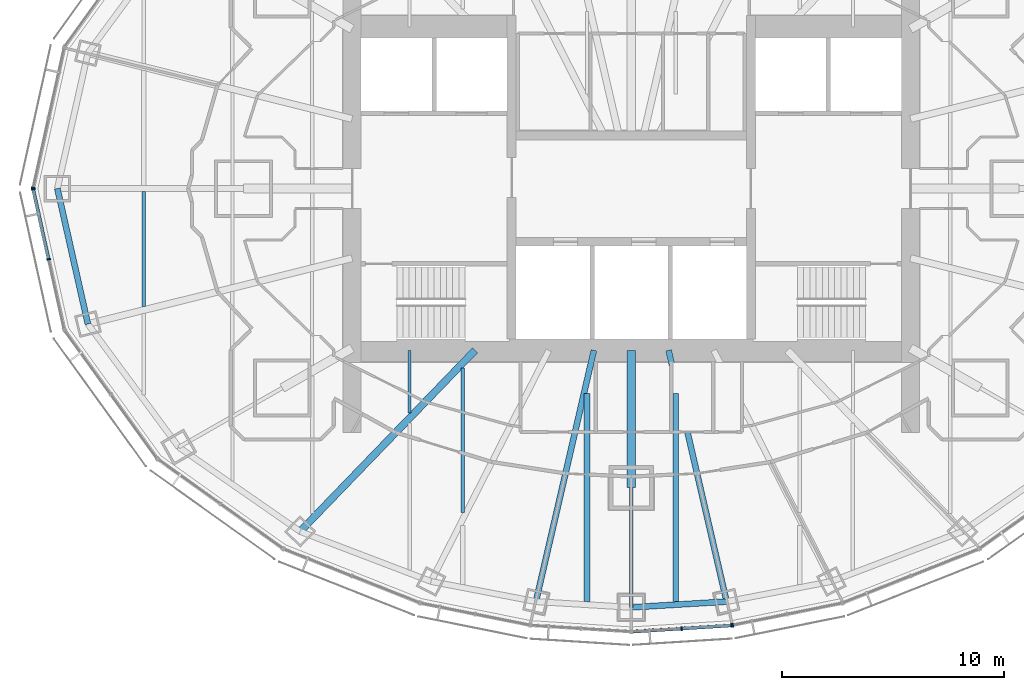
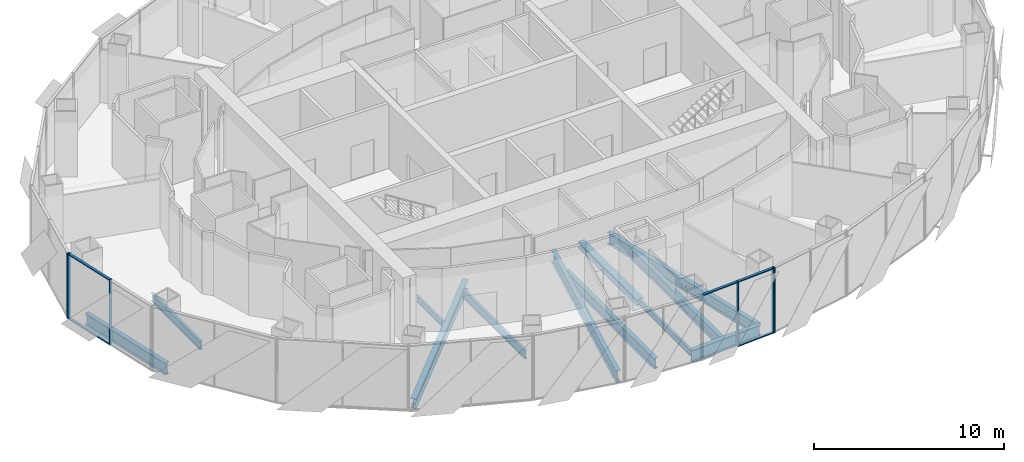
# One storey, part 3 of 19: 12 beams, 11 members, 4 elements without a shape of their own.
"""IFC4 building model written with IfcOpenShell, lengths in metres."""

from ifc_helpers import new_model, si_unit, direction, frame, origin, origin_2d, place, context, subcontext, project, spatial, rectangle, i_section, extrude, material, material_profile, profile_set, type_object, element, aggregate, save


model = new_model("IFC4")

# Units and contexts
model_context = context("Model", 3, precision=1e-05, world=origin(), true_north=direction((0.0, 1.0)))
body_context = subcontext(model_context, "Body", "Model", "MODEL_VIEW")
ifc_project = project(units=[si_unit("LENGTHUNIT", "METRE"), si_unit("AREAUNIT", "SQUARE_METRE"), si_unit("VOLUMEUNIT", "CUBIC_METRE"), si_unit("PLANEANGLEUNIT", "RADIAN"), si_unit("MASSUNIT", "GRAM", prefix="KILO")], contexts=[model_context])

# Site, building, storey
site_placement = place(None, origin())
site = spatial("IfcSite", under=ifc_project, at=site_placement, CompositionType="ELEMENT")
building_placement = place(site_placement, origin())
building = spatial("IfcBuilding", under=site, at=building_placement, Name="Lantaw Convention Tower", CompositionType="ELEMENT")
storey_placement = place(building_placement, frame((0.0, 0.0, 245.199951171875)))
storey = spatial("IfcBuildingStorey", under=building, at=storey_placement, Name="L57", CompositionType="ELEMENT", Elevation=245.199951171875)

# Beams
ifc_material_1 = material(Name="Steel ASTM A992", Category="steel")
ifc_material_profile_1 = material_profile(ifc_material_1, i_section(OverallWidth=0.2666015625, OverallDepth=0.76953125, WebThickness=0.015625, FlangeThickness=0.025390625, FilletRadius=0.0126953125, at=origin_2d()), Name="W30X132")
ifc_profile_set_1 = profile_set([ifc_material_profile_1], Name="Steel ASTM A992")
beam_type_1 = type_object("IfcBeamType", Name="Beam E W30X132", PredefinedType="SPANDREL", material=ifc_profile_set_1)
beam_1_placement = place(storey_placement, frame((-25.89990234375, 0.0, -0.53466796875), z_axis=(0.219857926596, -0.97553190215, 0.0), x_axis=(0.97553190215, 0.219857926596, 0.0)))
element("IfcBeam", 1, at=beam_1_placement, inside=storey, type_object=beam_type_1, Name="Edge beam 13", PredefinedType="SPANDREL", context=body_context, shape_type="SweptSolid", body=[
    extrude(i_section(OverallWidth=0.2666015625, OverallDepth=0.76953125, WebThickness=0.015625, FlangeThickness=0.025390625, FilletRadius=0.0126953125, at=origin_2d()), origin(), (0.0, 0.0, 1.0), 6.267333984375),
])
beam_2_placement = place(storey_placement, frame((0.0, -18.89990234375, -0.53466796875), z_axis=(0.998210730897, 0.059794119452, 0.0), x_axis=(-0.059794119452, 0.998210730897, 0.0)))
element("IfcBeam", 2, at=beam_2_placement, inside=storey, type_object=beam_type_1, Name="Edge beam 19", PredefinedType="SPANDREL", context=body_context, shape_type="SweptSolid", body=[
    extrude(i_section(OverallWidth=0.2666015625, OverallDepth=0.76953125, WebThickness=0.015625, FlangeThickness=0.025390625, FilletRadius=0.0126953125, at=origin_2d()), origin(), (0.0, 0.0, 1.0), 4.311767578125),
])
ifc_material_profile_2 = material_profile(ifc_material_1, i_section(OverallWidth=0.140380859375, OverallDepth=0.40380859375, WebThickness=0.007080078125, FlangeThickness=0.01123046875, FilletRadius=0.01025390625, at=origin_2d()), Name="W16X31")
ifc_profile_set_2 = profile_set([ifc_material_profile_2], Name="Steel ASTM A992")
beam_type_2 = type_object("IfcBeamType", Name="Beam G W16X31", PredefinedType="BEAM", material=ifc_profile_set_2)
beam_3_placement = place(storey_placement, frame((0.0, -13.5, -0.351806640625), z_axis=(0.0, -1.0, 0.0), x_axis=(1.0, 0.0, 0.0)))
element("IfcBeam", 3, at=beam_3_placement, inside=storey, type_object=beam_type_2, Name="Floor girder on ray 19", PredefinedType="BEAM", context=body_context, shape_type="SweptSolid", body=[
    extrude(i_section(OverallWidth=0.140380859375, OverallDepth=0.40380859375, WebThickness=0.007080078125, FlangeThickness=0.01123046875, FilletRadius=0.01025390625, at=origin_2d()), origin(), (0.0, 0.0, 1.0), 5.39990234375),
])
ifc_material_profile_3 = material_profile(ifc_material_1, i_section(OverallWidth=0.32763671875, OverallDepth=0.64013671875, WebThickness=0.01904296875, FlangeThickness=0.033935546875, FilletRadius=0.0126953125, at=origin_2d()), Name="W24X176")
ifc_profile_set_3 = profile_set([ifc_material_profile_3], Name="Steel ASTM A992")
beam_type_3 = type_object("IfcBeamType", Name="Beam G W24X176", PredefinedType="BEAM", material=ifc_profile_set_3)
beam_4_placement = place(storey_placement, frame((-7.049560546875, -7.300048828125, -0.469970703125), z_axis=(-0.694657766726, -0.719340383356, 0.0), x_axis=(0.719340383356, -0.694657766726, 0.0)))
element("IfcBeam", 4, at=beam_4_placement, inside=storey, type_object=beam_type_3, Name="Floor girder on ray 16", PredefinedType="BEAM", context=body_context, shape_type="SweptSolid", body=[
    extrude(i_section(OverallWidth=0.32763671875, OverallDepth=0.64013671875, WebThickness=0.01904296875, FlangeThickness=0.033935546875, FilletRadius=0.0126953125, at=origin_2d()), origin(), (0.0, 0.0, 1.0), 11.364990234375),
])
ifc_material_profile_4 = material_profile(ifc_material_1, i_section(OverallWidth=0.2666015625, OverallDepth=0.7568359375, WebThickness=0.013916015625, FlangeThickness=0.019287109375, FilletRadius=0.0126953125, at=origin_2d()), Name="W30X108")
ifc_profile_set_4 = profile_set([ifc_material_profile_4], Name="Steel ASTM A992")
beam_type_4 = type_object("IfcBeamType", Name="Beam G W30X108", PredefinedType="BEAM", material=ifc_profile_set_4)
for number, where, z_axis, x_axis, name in (
    (5, (-1.685302734375, -7.300048828125, -0.5283203125), (-0.224962134377, -0.974367506692, 0.0), (0.974367506692, -0.224962134377, 0.0), "Floor girder on ray 18"),
    (6, (1.685302734375, -7.300048828125, -0.5283203125), (0.224962134377, -0.974367506692, 0.0), (0.974367506692, 0.224962134377, 0.0), "Floor girder on ray 20"),
):
    element("IfcBeam", number, at=place(storey_placement, frame(where, z_axis=z_axis, x_axis=x_axis)), inside=storey, type_object=beam_type_4, Name=name, PredefinedType="BEAM", context=body_context, shape_type="SweptSolid", body=[
        extrude(i_section(OverallWidth=0.2666015625, OverallDepth=0.7568359375, WebThickness=0.013916015625, FlangeThickness=0.019287109375, FilletRadius=0.0126953125, at=origin_2d()), origin(), (0.0, 0.0, 1.0), 11.640380859375),
    ])
ifc_material_profile_5 = material_profile(ifc_material_1, i_section(OverallWidth=0.40380859375, OverallDepth=0.406494140625, WebThickness=0.027099609375, FlangeThickness=0.043701171875, FilletRadius=0.01513671875, at=origin_2d()), Name="W14X233")
ifc_profile_set_5 = profile_set([ifc_material_profile_5], Name="Steel ASTM A992")
beam_type_5 = type_object("IfcBeamType", Name="Beam GM W14X233", PredefinedType="BEAM", material=ifc_profile_set_5)
beam_5_placement = place(storey_placement, frame((0.0, -7.300048828125, -0.353271484375), z_axis=(0.0, -1.0, 0.0), x_axis=(1.0, 0.0, 0.0)))
element("IfcBeam", 7, at=beam_5_placement, inside=storey, type_object=beam_type_5, Name="Core link beam on ray 19", PredefinedType="BEAM", context=body_context, shape_type="SweptSolid", body=[
    extrude(i_section(OverallWidth=0.40380859375, OverallDepth=0.406494140625, WebThickness=0.027099609375, FlangeThickness=0.043701171875, FilletRadius=0.01513671875, at=origin_2d()), origin(), (0.0, 0.0, 1.0), 6.199951171875),
])
ifc_material_profile_6 = material_profile(ifc_material_1, i_section(OverallWidth=0.140380859375, OverallDepth=0.40380859375, WebThickness=0.007080078125, FlangeThickness=0.01123046875, FilletRadius=0.01025390625, at=origin_2d()), Name="W16X31")
ifc_profile_set_6 = profile_set([ifc_material_profile_6], Name="Steel ASTM A992")
beam_type_6 = type_object("IfcBeamType", Name="Beam J W16X31", PredefinedType="JOIST", material=ifc_profile_set_6)
beam_6_placement = place(storey_placement, frame((-10.0, -10.119384765625, -0.351806640625), z_axis=(0.0, 1.0, 0.0), x_axis=(-1.0, 0.0, 0.0)))
element("IfcBeam", 8, at=beam_6_placement, inside=storey, type_object=beam_type_6, Name="Floor joist", PredefinedType="JOIST", context=body_context, shape_type="SweptSolid", body=[
    extrude(i_section(OverallWidth=0.140380859375, OverallDepth=0.40380859375, WebThickness=0.007080078125, FlangeThickness=0.01123046875, FilletRadius=0.01025390625, at=origin_2d()), origin(), (0.0, 0.0, 1.0), 2.8193359375),
])
ifc_material_profile_7 = material_profile(ifc_material_1, i_section(OverallWidth=0.1650390625, OverallDepth=0.52587890625, WebThickness=0.0087890625, FlangeThickness=0.011474609375, FilletRadius=0.0126953125, at=origin_2d()), Name="W21X44")
ifc_profile_set_7 = profile_set([ifc_material_profile_7], Name="Steel ASTM A992")
beam_type_7 = type_object("IfcBeamType", Name="Beam J W21X44", PredefinedType="JOIST", material=ifc_profile_set_7)
beam_7_placement = place(storey_placement, frame((-22.0, -5.326904296875, -0.412841796875), z_axis=(0.0, 1.0, 0.0), x_axis=(-1.0, 0.0, 0.0)))
element("IfcBeam", 9, at=beam_7_placement, inside=storey, type_object=beam_type_7, Name="Floor joist", PredefinedType="JOIST", context=body_context, shape_type="SweptSolid", body=[
    extrude(i_section(OverallWidth=0.1650390625, OverallDepth=0.52587890625, WebThickness=0.0087890625, FlangeThickness=0.011474609375, FilletRadius=0.0126953125, at=origin_2d()), origin(), (0.0, 0.0, 1.0), 5.199951171875),
])
beam_8_placement = place(storey_placement, frame((-7.60009765625, -14.6220703125, -0.412841796875), z_axis=(0.0, 1.0, 0.0), x_axis=(-1.0, 0.0, 0.0)))
element("IfcBeam", 10, at=beam_8_placement, inside=storey, type_object=beam_type_7, Name="Floor joist", PredefinedType="JOIST", context=body_context, shape_type="SweptSolid", body=[
    extrude(i_section(OverallWidth=0.1650390625, OverallDepth=0.52587890625, WebThickness=0.0087890625, FlangeThickness=0.011474609375, FilletRadius=0.0126953125, at=origin_2d()), origin(), (0.0, 0.0, 1.0), 6.51611328125),
])
ifc_material_profile_8 = material_profile(ifc_material_1, i_section(OverallWidth=0.25390625, OverallDepth=0.683349609375, WebThickness=0.012451171875, FlangeThickness=0.01904296875, FilletRadius=0.01513671875, at=origin_2d()), Name="W27X94")
ifc_profile_set_8 = profile_set([ifc_material_profile_8], Name="Steel ASTM A992")
beam_type_8 = type_object("IfcBeamType", Name="Beam J W27X94", PredefinedType="JOIST", material=ifc_profile_set_8)
for number, where, z_axis, x_axis, name in (
    (11, (-2.0, -18.646484375, -0.49169921875), (0.0, 1.0, 0.0), (-1.0, 0.0, 0.0), "Floor joist"),
    (12, (2.0, -18.646484375, -0.49169921875), (0.0, 1.0, 0.0), (-1.0, 0.0, 0.0), "Floor joist"),
):
    element("IfcBeam", number, at=place(storey_placement, frame(where, z_axis=z_axis, x_axis=x_axis)), inside=storey, type_object=beam_type_8, Name=name, PredefinedType="JOIST", context=body_context, shape_type="SweptSolid", body=[
        extrude(i_section(OverallWidth=0.25390625, OverallDepth=0.683349609375, WebThickness=0.012451171875, FlangeThickness=0.01904296875, FilletRadius=0.01513671875, at=origin_2d()), origin(), (0.0, 0.0, 1.0), 9.390625),
    ])

# Curtain wall, member
ifc_material_2 = material(Name="Aluminium framed curtain wall", Category="aluminium")
curtain_wall_type = type_object("IfcCurtainWallType", Name="Office curtain wall high rise, pale aluminium", PredefinedType="USERDEFINED", material=ifc_material_2)
curtain_wall_1_placement = place(storey_placement, origin())
curtain_wall_1 = element("IfcCurtainWall", 13, at=curtain_wall_1_placement, inside=storey, type_object=curtain_wall_type, Name="Office curtain wall high rise, pale aluminium L57", ObjectType="UNITISED CURTAIN WALL", PredefinedType="USERDEFINED")
ifc_material_3 = material(Name="Aluminium 6063-T6", Category="aluminium")
ifc_material_profile_9 = material_profile(ifc_material_3, rectangle(XDim=0.179931640625, YDim=0.06494140625, at=origin_2d()), Name="CW-O2 mullion 65x180")
ifc_profile_set_9 = profile_set([ifc_material_profile_9], Name="Aluminium 6063-T6")
member_type_1 = type_object("IfcMemberType", Name="CW-O2 mullion 65x180", PredefinedType="MULLION", material=ifc_profile_set_9)
member_1_placement = place(storey_placement, frame((-26.992919921875, 0.03173828125, -0.14990234375), z_axis=(0.0, 0.0, 1.0), x_axis=(0.976417396437, -0.215891333626, 0.0)))
member_1 = element("IfcMember", 14, at=member_1_placement, type_object=member_type_1, Name="CW-O2 mullion 3", PredefinedType="MULLION", context=body_context, shape_type="SweptSolid", body=[
    extrude(rectangle(XDim=0.179931640625, YDim=0.06494140625, at=origin_2d()), origin(), (0.0, 0.0, 1.0), 4.199951171875),
])
aggregate(curtain_wall_1, [member_1])

# Curtain wall, members
curtain_wall_2_placement = place(storey_placement, origin())
curtain_wall_2 = element("IfcCurtainWall", 15, at=curtain_wall_2_placement, inside=storey, type_object=curtain_wall_type, Name="Office curtain wall high rise, pale aluminium L57", ObjectType="UNITISED CURTAIN WALL", PredefinedType="USERDEFINED")
member_2_placement = place(storey_placement, frame((-26.992919921875, -0.03173828125, -0.14990234375), z_axis=(0.0, 0.0, 1.0), x_axis=(0.976417396437, 0.215891333626, 0.0)))
member_2 = element("IfcMember", 16, at=member_2_placement, type_object=member_type_1, Name="CW-O2 mullion 1", PredefinedType="MULLION", context=body_context, shape_type="SweptSolid", body=[
    extrude(rectangle(XDim=0.179931640625, YDim=0.06494140625, at=origin_2d()), origin(), (0.0, 0.0, 1.0), 4.199951171875),
])
member_3_placement = place(storey_placement, frame((-26.294677734375, -3.190185546875, -0.14990234375), z_axis=(0.0, 0.0, 1.0), x_axis=(0.976417396437, 0.215891333626, 0.0)))
member_3 = element("IfcMember", 17, at=member_3_placement, type_object=member_type_1, Name="CW-O2 mullion 2", PredefinedType="MULLION", context=body_context, shape_type="SweptSolid", body=[
    extrude(rectangle(XDim=0.179931640625, YDim=0.06494140625, at=origin_2d()), origin(), (0.0, 0.0, 1.0), 4.199951171875),
])

curtain_wall_3_placement = place(storey_placement, origin())
curtain_wall_3 = element("IfcCurtainWall", 18, at=curtain_wall_3_placement, inside=storey, type_object=curtain_wall_type, Name="Office curtain wall high rise, pale aluminium L57", ObjectType="UNITISED CURTAIN WALL", PredefinedType="USERDEFINED")
member_4_placement = place(storey_placement, frame((2.275634765625, -19.85693359375, -0.14990234375), z_axis=(0.0, 0.0, 1.0), x_axis=(-0.062757983884, 0.998028774865, 0.0)))
member_4 = element("IfcMember", 19, at=member_4_placement, type_object=member_type_1, Name="CW-O2 mullion 2", PredefinedType="MULLION", context=body_context, shape_type="SweptSolid", body=[
    extrude(rectangle(XDim=0.179931640625, YDim=0.06494140625, at=origin_2d()), origin(), (0.0, 0.0, 1.0), 4.199951171875),
])
member_5_placement = place(storey_placement, frame((4.518798828125, -19.7158203125, -0.14990234375), z_axis=(0.0, 0.0, 1.0), x_axis=(-0.062757983884, 0.998028774865, 0.0)))
member_5 = element("IfcMember", 20, at=member_5_placement, type_object=member_type_1, Name="CW-O2 mullion 3", PredefinedType="MULLION", context=body_context, shape_type="SweptSolid", body=[
    extrude(rectangle(XDim=0.179931640625, YDim=0.06494140625, at=origin_2d()), origin(), (0.0, 0.0, 1.0), 4.199951171875),
])

# Curtain wall, member
curtain_wall_4_placement = place(storey_placement, origin())
curtain_wall_4 = element("IfcCurtainWall", 21, at=curtain_wall_4_placement, inside=storey, type_object=curtain_wall_type, Name="Office curtain wall high rise, pale aluminium L57", ObjectType="UNITISED CURTAIN WALL", PredefinedType="USERDEFINED")
member_6_placement = place(storey_placement, frame((4.583251953125, -19.70751953125, -0.14990234375), z_axis=(0.0, 0.0, 1.0), x_axis=(-0.197183095987, 0.980366679695, 0.0)))
member_6 = element("IfcMember", 22, at=member_6_placement, type_object=member_type_1, Name="CW-O2 mullion 1", PredefinedType="MULLION", context=body_context, shape_type="SweptSolid", body=[
    extrude(rectangle(XDim=0.179931640625, YDim=0.06494140625, at=origin_2d()), origin(), (0.0, 0.0, 1.0), 4.199951171875),
])
aggregate(curtain_wall_4, [member_6])

# Member
ifc_material_profile_10 = material_profile(ifc_material_3, rectangle(XDim=0.14990234375, YDim=0.06494140625, at=origin_2d()), Name="CW-O2 transom 65x150")
ifc_profile_set_10 = profile_set([ifc_material_profile_10], Name="Aluminium 6063-T6")
member_type_2 = type_object("IfcMemberType", Name="CW-O2 transom 65x150", PredefinedType="USERDEFINED", material=ifc_profile_set_10)
member_7_placement = place(storey_placement, frame((-26.986083984375, -0.0634765625, -0.117431640625), z_axis=(0.215894607042, -0.976416672661, 0.0), x_axis=(0.976416672661, 0.215894607042, 0.0)))
member_7 = element("IfcMember", 23, at=member_7_placement, type_object=member_type_2, Name="CW-O2 transom 1.1", ObjectType="TRANSOM", PredefinedType="USERDEFINED", context=body_context, shape_type="SweptSolid", body=[
    extrude(rectangle(XDim=0.14990234375, YDim=0.06494140625, at=origin_2d()), origin(), (0.0, 0.0, 1.0), 3.169677734375),
])

member_8_placement = place(storey_placement, frame((-26.986083984375, -0.0634765625, 4.017578125), z_axis=(0.215894607042, -0.976416672661, 0.0), x_axis=(0.976416672661, 0.215894607042, 0.0)))
member_8 = element("IfcMember", 24, at=member_8_placement, type_object=member_type_2, Name="CW-O2 transom 1.2", ObjectType="TRANSOM", PredefinedType="USERDEFINED", context=body_context, shape_type="SweptSolid", body=[
    extrude(rectangle(XDim=0.14990234375, YDim=0.06494140625, at=origin_2d()), origin(), (0.0, 0.0, 1.0), 3.169677734375),
])

aggregate(curtain_wall_2, [member_2, member_3, member_7, member_8])

member_9_placement = place(storey_placement, frame((0.06494140625, -19.995849609375, 4.017578125), z_axis=(0.998029003644, 0.062754345555, 0.0), x_axis=(-0.062754345555, 0.998029003644, 0.0)))
member_9 = element("IfcMember", 25, at=member_9_placement, type_object=member_type_2, Name="CW-O2 transom 1.2", ObjectType="TRANSOM", PredefinedType="USERDEFINED", context=body_context, shape_type="SweptSolid", body=[
    extrude(rectangle(XDim=0.14990234375, YDim=0.06494140625, at=origin_2d()), origin(), (0.0, 0.0, 1.0), 2.1826171875),
])

member_10_placement = place(storey_placement, frame((2.30810546875, -19.85498046875, -0.117431640625), z_axis=(0.998021991509, 0.062865765437, 0.0), x_axis=(-0.062865765437, 0.998021991509, 0.0)))
member_10 = element("IfcMember", 26, at=member_10_placement, type_object=member_type_2, Name="CW-O2 transom 2.1", ObjectType="TRANSOM", PredefinedType="USERDEFINED", context=body_context, shape_type="SweptSolid", body=[
    extrude(rectangle(XDim=0.14990234375, YDim=0.06494140625, at=origin_2d()), origin(), (0.0, 0.0, 1.0), 2.1826171875),
])

member_11_placement = place(storey_placement, frame((2.30810546875, -19.85498046875, 4.017578125), z_axis=(0.998021991509, 0.062865765437, 0.0), x_axis=(-0.062865765437, 0.998021991509, 0.0)))
member_11 = element("IfcMember", 27, at=member_11_placement, type_object=member_type_2, Name="CW-O2 transom 2.2", ObjectType="TRANSOM", PredefinedType="USERDEFINED", context=body_context, shape_type="SweptSolid", body=[
    extrude(rectangle(XDim=0.14990234375, YDim=0.06494140625, at=origin_2d()), origin(), (0.0, 0.0, 1.0), 2.1826171875),
])

aggregate(curtain_wall_3, [member_4, member_5, member_9, member_10, member_11])

save(model, "model.ifc")
